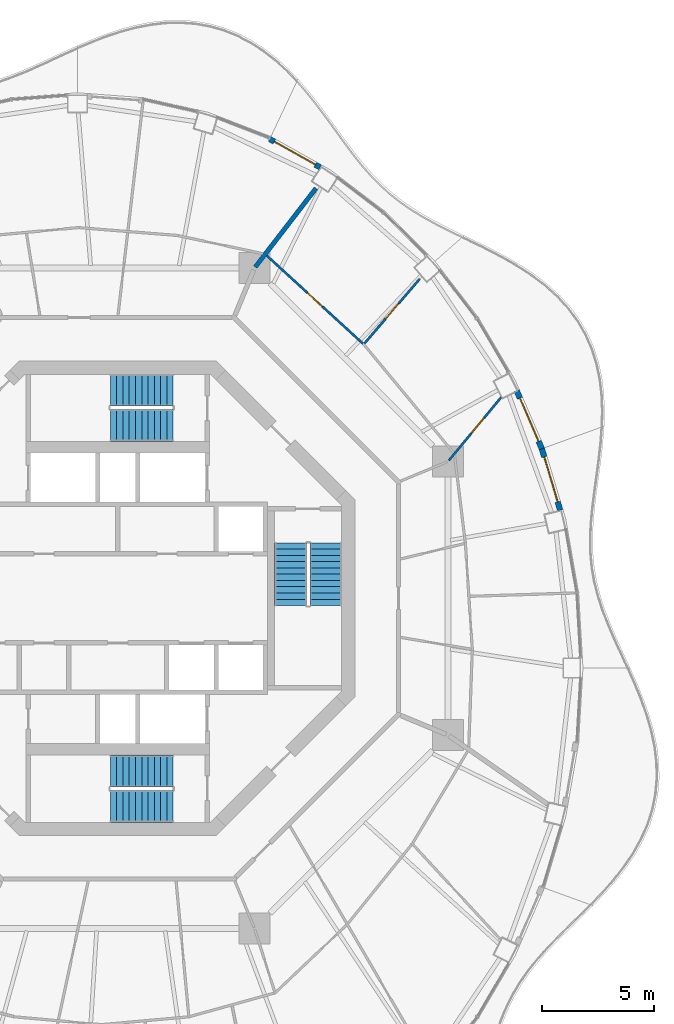
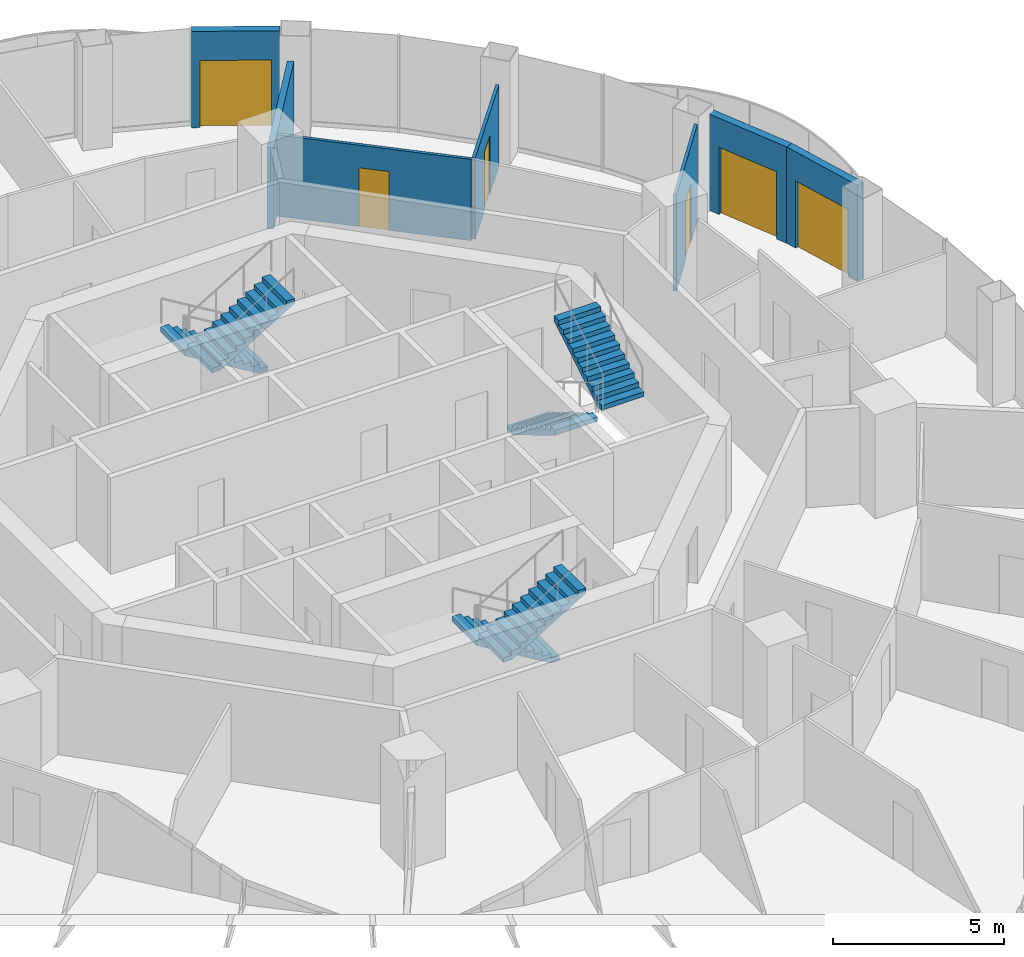
# One storey, part 14 of 17: 7 walls, 6 doors, 6 stair flights, 6 openings, 3 elements without a shape of their own.
"""IFC4 building model written with IfcOpenShell, lengths in metres."""

from ifc_helpers import new_model, si_unit, direction, frame, frame_2d, origin, place, context, subcontext, project, spatial, polyline, rectangle, outline, extrude, material, layer, layer_set, type_object, element, fill, aggregate, save


model = new_model("IFC4")

# Units and contexts
model_context = context("Model", 3, precision=1e-05, world=origin(), true_north=direction((0.0, 1.0)))
body_context = subcontext(model_context, "Body", "Model", "MODEL_VIEW")
ifc_project = project(units=[si_unit("LENGTHUNIT", "METRE"), si_unit("AREAUNIT", "SQUARE_METRE"), si_unit("VOLUMEUNIT", "CUBIC_METRE"), si_unit("PLANEANGLEUNIT", "RADIAN"), si_unit("MASSUNIT", "GRAM", prefix="KILO")], contexts=[model_context])

# Site, building, storey
site_placement = place(None, origin())
site = spatial("IfcSite", under=ifc_project, at=site_placement, CompositionType="ELEMENT")
building_placement = place(site_placement, origin())
building = spatial("IfcBuilding", under=site, at=building_placement, Name="Nagisa Residences", CompositionType="ELEMENT")
storey_placement = place(building_placement, frame((0.0, 0.0, 291.800048828125)))
storey = spatial("IfcBuildingStorey", under=building, at=storey_placement, Name="L74", CompositionType="ELEMENT", Elevation=291.800048828125)

# Wall
ifc_material_1 = material(Name="Gypsum board on steel studs", Category="steel")
ifc_layer_1 = layer(ifc_material_1, 0.199951171875)
ifc_layer_set_1 = layer_set([ifc_layer_1], Name="Apartment compartment wall EI60 200")
wall_type_1 = type_object("IfcWallType", Name="Apartment compartment wall EI60 200", PredefinedType="PARTITIONING", material=ifc_layer_set_1)
wall_1_placement = place(storey_placement, frame((6.153564453125, 14.821533203125, 0.0), z_axis=(0.0, 0.0, 1.0), x_axis=(0.610687612043, 0.791871606068, 0.0)))
element("IfcWall", 1, at=wall_1_placement, inside=storey, type_object=wall_type_1, Name="wall:L74:u01", PredefinedType="PARTITIONING", context=body_context, shape_type="SweptSolid", body=[
    extrude(rectangle(XDim=4.454833984375, YDim=0.199951171875, at=frame_2d((2.2275390625, 0.0))), origin(), (0.0, 0.0, 1.0), 2.905029296875),
])

# Wall, opening, door
ifc_material_2 = material(Name="Gypsum board on steel studs", Category="steel")
ifc_layer_2 = layer(ifc_material_2, 0.10009765625)
ifc_layer_set_2 = layer_set([ifc_layer_2], Name="Apartment partition 100")
wall_type_2 = type_object("IfcWallType", Name="Apartment partition 100", PredefinedType="PARTITIONING", material=ifc_layer_set_2)
wall_2_placement = place(storey_placement, frame((14.81396484375, 6.161376953125, 0.0), z_axis=(0.0, 0.0, 1.0), x_axis=(0.638050520313, 0.769994502272, 0.0)))
wall_2 = element("IfcWall", 2, at=wall_2_placement, inside=storey, type_object=wall_type_2, Name="wall:L74:u25", PredefinedType="PARTITIONING", context=body_context, shape_type="SweptSolid", body=[
    extrude(rectangle(XDim=3.6728515625, YDim=0.10009765625, at=frame_2d((1.83642578125, 0.0))), origin(), (0.0, 0.0, 1.0), 3.43994140625),
])
opening_1_placement = place(wall_2_placement, frame((1.584228515625, 0.0, 0.0)))
opening_1 = element("IfcOpeningElement", 3, at=opening_1_placement, cuts=wall_2, Name="Opening L74-U17", PredefinedType="OPENING", context=body_context, shape_type="SweptSolid", body=[
    extrude(rectangle(XDim=0.89990234375, YDim=2.10009765625, at=frame_2d((0.449951171875, 1.050048828125))), frame((0.0, 0.06005859375, 0.0), z_axis=(0.0, -1.0, 0.0), x_axis=(1.0, 0.0, 0.0)), (0.0, 0.0, 1.0), 0.1201171875),
])
ifc_material_3 = material(Name="Timber door set", Category="wood")
door_type_1 = type_object("IfcDoorType", Name="Apartment door 900x2100", OperationType="NOTDEFINED", PredefinedType="DOOR", material=ifc_material_3)
door_1_placement = place(opening_1_placement, origin())
door_1 = element("IfcDoor", 4, at=door_1_placement, inside=storey, type_object=door_type_1, Name="Door to study, Apartment 74B", OperationType="SINGLE_SWING_LEFT", OverallHeight=2.10009765625, OverallWidth=0.89990234375, PredefinedType="DOOR", context=body_context, shape_type="SweptSolid", body=[
    extrude(rectangle(XDim=0.89990234375, YDim=2.10009765625, at=frame_2d((0.449951171875, 1.050048828125))), frame((0.0, 0.02490234375, 0.0), z_axis=(0.0, -1.0, 0.0), x_axis=(1.0, 0.0, 0.0)), (0.0, 0.0, 1.0), 0.050048828125),
])
fill(opening_1, door_1)

wall_3_placement = place(storey_placement, frame((11.041259765625, 11.402099609375, 0.0), z_axis=(0.0, 0.0, 1.0), x_axis=(0.650558544325, 0.759456108282, 0.0)))
wall_3 = element("IfcWall", 5, at=wall_3_placement, inside=storey, type_object=wall_type_2, Name="wall:L74:u27", PredefinedType="PARTITIONING", context=body_context, shape_type="SweptSolid", body=[
    extrude(rectangle(XDim=3.800048828125, YDim=0.10009765625, at=frame_2d((1.89990234375, 0.0))), origin(), (0.0, 0.0, 1.0), 2.905029296875),
])
opening_2_placement = place(wall_3_placement, frame((1.4501953125, 0.0, 0.0)))
opening_2 = element("IfcOpeningElement", 6, at=opening_2_placement, cuts=wall_3, Name="Opening L74-U18", PredefinedType="OPENING", context=body_context, shape_type="SweptSolid", body=[
    extrude(rectangle(XDim=0.89990234375, YDim=2.10009765625, at=frame_2d((0.449951171875, 1.050048828125))), frame((0.0, 0.06005859375, 0.0), z_axis=(0.0, -1.0, 0.0), x_axis=(1.0, 0.0, 0.0)), (0.0, 0.0, 1.0), 0.1201171875),
])
door_2_placement = place(opening_2_placement, origin())
door_2 = element("IfcDoor", 7, at=door_2_placement, inside=storey, type_object=door_type_1, Name="Door to kitchen, Apartment 74B", OperationType="SINGLE_SWING_RIGHT", OverallHeight=2.10009765625, OverallWidth=0.89990234375, PredefinedType="DOOR", context=body_context, shape_type="SweptSolid", body=[
    extrude(rectangle(XDim=0.89990234375, YDim=2.10009765625, at=frame_2d((0.449951171875, 1.050048828125))), frame((0.0, 0.02490234375, 0.0), z_axis=(0.0, -1.0, 0.0), x_axis=(1.0, 0.0, 0.0)), (0.0, 0.0, 1.0), 0.050048828125),
])
fill(opening_2, door_2)

wall_4_placement = place(storey_placement, frame((10.9716796875, 11.397705078125, 0.0), z_axis=(0.0, 0.0, 1.0), x_axis=(-0.737830272434, 0.674986288069, 0.0)))
wall_4 = element("IfcWall", 8, at=wall_4_placement, inside=storey, type_object=wall_type_2, Name="wall:L74:u28", PredefinedType="PARTITIONING", context=body_context, shape_type="SweptSolid", body=[
    extrude(rectangle(XDim=5.827392578125, YDim=0.10009765625, at=frame_2d((2.91357421875, 0.0))), origin(), (0.0, 0.0, 1.0), 2.905029296875),
])
opening_3_placement = place(wall_4_placement, frame((2.463623046875, 0.0, 0.0)))
opening_3 = element("IfcOpeningElement", 9, at=opening_3_placement, cuts=wall_4, Name="Opening L74-U19", PredefinedType="OPENING", context=body_context, shape_type="SweptSolid", body=[
    extrude(rectangle(XDim=0.89990234375, YDim=2.10009765625, at=frame_2d((0.449951171875, 1.050048828125))), frame((0.0, 0.06005859375, 0.0), z_axis=(0.0, -1.0, 0.0), x_axis=(1.0, 0.0, 0.0)), (0.0, 0.0, 1.0), 0.1201171875),
])
door_3_placement = place(opening_3_placement, origin())
door_3 = element("IfcDoor", 10, at=door_3_placement, inside=storey, type_object=door_type_1, Name="Door to store, Apartment 74B", OperationType="SINGLE_SWING_LEFT", OverallHeight=2.10009765625, OverallWidth=0.89990234375, PredefinedType="DOOR", context=body_context, shape_type="SweptSolid", body=[
    extrude(rectangle(XDim=0.89990234375, YDim=2.10009765625, at=frame_2d((0.449951171875, 1.050048828125))), frame((0.0, 0.02490234375, 0.0), z_axis=(0.0, -1.0, 0.0), x_axis=(1.0, 0.0, 0.0)), (0.0, 0.0, 1.0), 0.050048828125),
])
fill(opening_3, door_3)

ifc_material_4 = material(Name="Precast concrete C40/50", Category="concrete")
ifc_layer_3 = layer(ifc_material_4, 0.25)
ifc_layer_set_3 = layer_set([ifc_layer_3], Name="BALCONY DOOR WALL 250")
wall_type_3 = type_object("IfcWallType", Name="BALCONY DOOR WALL 250", PredefinedType="SOLIDWALL", material=ifc_layer_set_3)
wall_5_placement = place(storey_placement, frame((18.978271484375, 6.69677734375, 0.0), z_axis=(0.0, 0.0, 1.0), x_axis=(0.285876209024, -0.9582665564, 0.0)))
wall_5 = element("IfcWall", 11, at=wall_5_placement, inside=storey, type_object=wall_type_3, Name="wall:L74:bay02", PredefinedType="SOLIDWALL", context=body_context, shape_type="SweptSolid", body=[
    extrude(rectangle(XDim=2.877197265625, YDim=0.25, at=frame_2d((1.4384765625, 0.0))), origin(), (0.0, 0.0, 1.0), 3.43994140625),
])
opening_4_placement = place(wall_5_placement, frame((0.388671875, 0.0, 0.0)))
opening_4 = element("IfcOpeningElement", 12, at=opening_4_placement, cuts=wall_5, Name="Opening BD-L74-01", PredefinedType="OPENING", context=body_context, shape_type="SweptSolid", body=[
    extrude(rectangle(XDim=2.10009765625, YDim=2.39990234375, at=frame_2d((1.050048828125, 1.199951171875))), frame((0.0, 0.135009765625, 0.0), z_axis=(0.0, -1.0, 0.0), x_axis=(1.0, 0.0, 0.0)), (0.0, 0.0, 1.0), 0.27001953125),
])
ifc_material_5 = material(Name="Aluminium and clear glass", Category="aluminium")
door_type_2 = type_object("IfcDoorType", Name="BALCONY SLIDING DOOR 2100x2400", OperationType="SLIDING_TO_LEFT", PredefinedType="DOOR", material=ifc_material_5)
door_4_placement = place(opening_4_placement, origin())
door_4 = element("IfcDoor", 13, at=door_4_placement, inside=storey, type_object=door_type_2, Name="door:L74:bay02", OperationType="SLIDING_TO_LEFT", OverallHeight=2.39990234375, OverallWidth=2.10009765625, PredefinedType="DOOR", context=body_context, shape_type="SweptSolid", body=[
    extrude(rectangle(XDim=2.10009765625, YDim=2.39990234375, at=frame_2d((1.050048828125, 1.199951171875))), frame((0.0, 0.02490234375, 0.0), z_axis=(0.0, -1.0, 0.0), x_axis=(1.0, 0.0, 0.0)), (0.0, 0.0, 1.0), 0.050048828125),
])
fill(opening_4, door_4)

wall_6_placement = place(storey_placement, frame((17.853759765625, 9.289794921875, 0.0), z_axis=(0.0, 0.0, 1.0), x_axis=(0.397597791596, -0.9175598052, 0.0)))
wall_6 = element("IfcWall", 14, at=wall_6_placement, inside=storey, type_object=wall_type_3, Name="wall:L74:bay03", PredefinedType="SOLIDWALL", context=body_context, shape_type="SweptSolid", body=[
    extrude(rectangle(XDim=2.841064453125, YDim=0.25, at=frame_2d((1.42041015625, 0.0))), origin(), (0.0, 0.0, 1.0), 3.43994140625),
])
opening_5_placement = place(wall_6_placement, frame((0.37060546875, 0.0, 0.0)))
opening_5 = element("IfcOpeningElement", 15, at=opening_5_placement, cuts=wall_6, Name="Opening BD-L74-02", PredefinedType="OPENING", context=body_context, shape_type="SweptSolid", body=[
    extrude(rectangle(XDim=2.10009765625, YDim=2.39990234375, at=frame_2d((1.050048828125, 1.199951171875))), frame((0.0, 0.135009765625, 0.0), z_axis=(0.0, -1.0, 0.0), x_axis=(1.0, 0.0, 0.0)), (0.0, 0.0, 1.0), 0.27001953125),
])
door_5_placement = place(opening_5_placement, origin())
door_5 = element("IfcDoor", 16, at=door_5_placement, inside=storey, type_object=door_type_2, Name="door:L74:bay03", OperationType="SLIDING_TO_LEFT", OverallHeight=2.39990234375, OverallWidth=2.10009765625, PredefinedType="DOOR", context=body_context, shape_type="SweptSolid", body=[
    extrude(rectangle(XDim=2.10009765625, YDim=2.39990234375, at=frame_2d((1.050048828125, 1.199951171875))), frame((0.0, 0.02490234375, 0.0), z_axis=(0.0, -1.0, 0.0), x_axis=(1.0, 0.0, 0.0)), (0.0, 0.0, 1.0), 0.050048828125),
])
fill(opening_5, door_5)

wall_7_placement = place(storey_placement, frame((6.795166015625, 20.553955078125, 0.0), z_axis=(0.0, 0.0, 1.0), x_axis=(0.872052877201, -0.489411666561, 0.0)))
wall_7 = element("IfcWall", 17, at=wall_7_placement, inside=storey, type_object=wall_type_3, Name="wall:L74:bay08", PredefinedType="SOLIDWALL", context=body_context, shape_type="SweptSolid", body=[
    extrude(rectangle(XDim=2.593017578125, YDim=0.25, at=frame_2d((1.29638671875, 0.0))), origin(), (0.0, 0.0, 1.0), 3.43994140625),
])
opening_6_placement = place(wall_7_placement, frame((0.24658203125, 0.0, 0.0)))
opening_6 = element("IfcOpeningElement", 18, at=opening_6_placement, cuts=wall_7, Name="Opening BD-L74-03", PredefinedType="OPENING", context=body_context, shape_type="SweptSolid", body=[
    extrude(rectangle(XDim=2.10009765625, YDim=2.39990234375, at=frame_2d((1.050048828125, 1.199951171875))), frame((0.0, 0.135009765625, 0.0), z_axis=(0.0, -1.0, 0.0), x_axis=(1.0, 0.0, 0.0)), (0.0, 0.0, 1.0), 0.27001953125),
])
door_6_placement = place(opening_6_placement, origin())
door_6 = element("IfcDoor", 19, at=door_6_placement, inside=storey, type_object=door_type_2, Name="door:L74:bay08", OperationType="SLIDING_TO_LEFT", OverallHeight=2.39990234375, OverallWidth=2.10009765625, PredefinedType="DOOR", context=body_context, shape_type="SweptSolid", body=[
    extrude(rectangle(XDim=2.10009765625, YDim=2.39990234375, at=frame_2d((1.050048828125, 1.199951171875))), frame((0.0, 0.02490234375, 0.0), z_axis=(0.0, -1.0, 0.0), x_axis=(1.0, 0.0, 0.0)), (0.0, 0.0, 1.0), 0.050048828125),
])
fill(opening_6, door_6)

# Stair, stair flights
ifc_material_6 = material(Name="Concrete C60", Category="concrete")
stair_type = type_object("IfcStairType", Name="Exit stair", PredefinedType="HALF_TURN_STAIR", material=ifc_material_6)
stair_1_placement = place(storey_placement, origin())
stair_1 = element("IfcStair", 20, at=stair_1_placement, inside=storey, type_object=stair_type, Name="L74 Exit stair E", PredefinedType="HALF_TURN_STAIR")
ifc_material_7 = material(Name="Concrete C60", Category="concrete")
stair_flight_type = type_object("IfcStairFlightType", Name="Exit stair flight", PredefinedType="STRAIGHT", material=ifc_material_7)
stair_flight_1_placement = place(storey_placement, frame((7.737060546875, 2.47509765625, 0.0), z_axis=(0.0, 0.0, 1.0), x_axis=(0.0, -1.0, 0.0)))
stair_flight_1 = element("IfcStairFlight", 21, at=stair_flight_1_placement, type_object=stair_flight_type, Name="ST-E flight 1", NumberOfRisers=11, NumberOfTreads=10, PredefinedType="STRAIGHT", RiserHeight=0.168181818, TreadLength=0.28, context=body_context, shape_type="SweptSolid", body=[
    extrude(outline(polyline([(0.0, 0.0), (0.0, 0.168212890625), (0.280029296875, 0.168212890625), (0.280029296875, 0.33642578125), (0.56005859375, 0.33642578125), (0.56005859375, 0.504638671875), (0.840087890625, 0.504638671875), (0.840087890625, 0.672607421875), (1.1201171875, 0.672607421875), (1.1201171875, 0.8408203125), (1.39990234375, 0.8408203125), (1.39990234375, 1.009033203125), (1.679931640625, 1.009033203125), (1.679931640625, 1.17724609375), (1.9599609375, 1.17724609375), (1.9599609375, 1.345458984375), (2.239990234375, 1.345458984375), (2.239990234375, 1.513671875), (2.52001953125, 1.513671875), (2.52001953125, 1.681884765625), (2.800048828125, 1.681884765625), (2.800048828125, 1.85009765625), (2.800048828125, 1.5068359375), (0.291015625, 0.0), (0.0, 0.0)])), frame((0.0, 0.71240234375, 0.0), z_axis=(0.0, -1.0, 0.0), x_axis=(1.0, 0.0, 0.0)), (0.0, 0.0, 1.0), 1.425048828125),
])
stair_flight_2_placement = place(storey_placement, frame((9.31201171875, -0.324951171875, 1.849853515625), z_axis=(0.0, 0.0, 1.0), x_axis=(0.0, 1.0, 0.0)))
stair_flight_2 = element("IfcStairFlight", 22, at=stair_flight_2_placement, type_object=stair_flight_type, Name="ST-E flight 2", NumberOfRisers=11, NumberOfTreads=10, PredefinedType="STRAIGHT", RiserHeight=0.168181818, TreadLength=0.28, context=body_context, shape_type="SweptSolid", body=[
    extrude(outline(polyline([(0.0, 0.0), (0.0, 0.168212890625), (0.280029296875, 0.168212890625), (0.280029296875, 0.33642578125), (0.56005859375, 0.33642578125), (0.56005859375, 0.504638671875), (0.840087890625, 0.504638671875), (0.840087890625, 0.672607421875), (1.1201171875, 0.672607421875), (1.1201171875, 0.8408203125), (1.39990234375, 0.8408203125), (1.39990234375, 1.009033203125), (1.679931640625, 1.009033203125), (1.679931640625, 1.17724609375), (1.9599609375, 1.17724609375), (1.9599609375, 1.345458984375), (2.239990234375, 1.345458984375), (2.239990234375, 1.513671875), (2.52001953125, 1.513671875), (2.52001953125, 1.681884765625), (2.800048828125, 1.681884765625), (2.800048828125, 1.85009765625), (2.800048828125, 1.5068359375), (0.291015625, 0.0), (0.0, 0.0)])), frame((0.0, 0.71240234375, 0.0), z_axis=(0.0, -1.0, 0.0), x_axis=(1.0, 0.0, 0.0)), (0.0, 0.0, 1.0), 1.425048828125),
])
aggregate(stair_1, [stair_flight_1, stair_flight_2])

stair_2_placement = place(storey_placement, origin())
stair_2 = element("IfcStair", 23, at=stair_2_placement, inside=storey, type_object=stair_type, Name="L74 Exit stair N", PredefinedType="HALF_TURN_STAIR")
stair_flight_3_placement = place(storey_placement, frame((2.47509765625, 9.31201171875, 0.0), z_axis=(0.0, 0.0, 1.0), x_axis=(-1.0, 0.0, 0.0)))
stair_flight_3 = element("IfcStairFlight", 24, at=stair_flight_3_placement, type_object=stair_flight_type, Name="ST-N flight 1", NumberOfRisers=11, NumberOfTreads=10, PredefinedType="STRAIGHT", RiserHeight=0.168181818, TreadLength=0.28, context=body_context, shape_type="SweptSolid", body=[
    extrude(outline(polyline([(0.0, 0.0), (0.0, 0.168212890625), (0.280029296875, 0.168212890625), (0.280029296875, 0.33642578125), (0.56005859375, 0.33642578125), (0.56005859375, 0.504638671875), (0.840087890625, 0.504638671875), (0.840087890625, 0.672607421875), (1.1201171875, 0.672607421875), (1.1201171875, 0.8408203125), (1.39990234375, 0.8408203125), (1.39990234375, 1.009033203125), (1.679931640625, 1.009033203125), (1.679931640625, 1.17724609375), (1.9599609375, 1.17724609375), (1.9599609375, 1.345458984375), (2.239990234375, 1.345458984375), (2.239990234375, 1.513671875), (2.52001953125, 1.513671875), (2.52001953125, 1.681884765625), (2.800048828125, 1.681884765625), (2.800048828125, 1.85009765625), (2.800048828125, 1.5068359375), (0.291015625, 0.0), (0.0, 0.0)])), frame((0.0, 0.71240234375, 0.0), z_axis=(0.0, -1.0, 0.0), x_axis=(1.0, 0.0, 0.0)), (0.0, 0.0, 1.0), 1.425048828125),
])
stair_flight_4_placement = place(storey_placement, frame((-0.324951171875, 7.737060546875, 1.849853515625), z_axis=(0.0, 0.0, 1.0), x_axis=(1.0, 0.0, 0.0)))
stair_flight_4 = element("IfcStairFlight", 25, at=stair_flight_4_placement, type_object=stair_flight_type, Name="ST-N flight 2", NumberOfRisers=11, NumberOfTreads=10, PredefinedType="STRAIGHT", RiserHeight=0.168181818, TreadLength=0.28, context=body_context, shape_type="SweptSolid", body=[
    extrude(outline(polyline([(0.0, 0.0), (0.0, 0.168212890625), (0.280029296875, 0.168212890625), (0.280029296875, 0.33642578125), (0.56005859375, 0.33642578125), (0.56005859375, 0.504638671875), (0.840087890625, 0.504638671875), (0.840087890625, 0.672607421875), (1.1201171875, 0.672607421875), (1.1201171875, 0.8408203125), (1.39990234375, 0.8408203125), (1.39990234375, 1.009033203125), (1.679931640625, 1.009033203125), (1.679931640625, 1.17724609375), (1.9599609375, 1.17724609375), (1.9599609375, 1.345458984375), (2.239990234375, 1.345458984375), (2.239990234375, 1.513671875), (2.52001953125, 1.513671875), (2.52001953125, 1.681884765625), (2.800048828125, 1.681884765625), (2.800048828125, 1.85009765625), (2.800048828125, 1.5068359375), (0.291015625, 0.0), (0.0, 0.0)])), frame((0.0, 0.71240234375, 0.0), z_axis=(0.0, -1.0, 0.0), x_axis=(1.0, 0.0, 0.0)), (0.0, 0.0, 1.0), 1.425048828125),
])
aggregate(stair_2, [stair_flight_3, stair_flight_4])

stair_3_placement = place(storey_placement, origin())
stair_3 = element("IfcStair", 26, at=stair_3_placement, inside=storey, type_object=stair_type, Name="L74 Exit stair S", PredefinedType="HALF_TURN_STAIR")
stair_flight_5_placement = place(storey_placement, frame((2.47509765625, -7.737060546875, 0.0), z_axis=(0.0, 0.0, 1.0), x_axis=(-1.0, 0.0, 0.0)))
stair_flight_5 = element("IfcStairFlight", 27, at=stair_flight_5_placement, type_object=stair_flight_type, Name="ST-S flight 1", NumberOfRisers=11, NumberOfTreads=10, PredefinedType="STRAIGHT", RiserHeight=0.168181818, TreadLength=0.28, context=body_context, shape_type="SweptSolid", body=[
    extrude(outline(polyline([(0.0, 0.0), (0.0, 0.168212890625), (0.280029296875, 0.168212890625), (0.280029296875, 0.33642578125), (0.56005859375, 0.33642578125), (0.56005859375, 0.504638671875), (0.840087890625, 0.504638671875), (0.840087890625, 0.672607421875), (1.1201171875, 0.672607421875), (1.1201171875, 0.8408203125), (1.39990234375, 0.8408203125), (1.39990234375, 1.009033203125), (1.679931640625, 1.009033203125), (1.679931640625, 1.17724609375), (1.9599609375, 1.17724609375), (1.9599609375, 1.345458984375), (2.239990234375, 1.345458984375), (2.239990234375, 1.513671875), (2.52001953125, 1.513671875), (2.52001953125, 1.681884765625), (2.800048828125, 1.681884765625), (2.800048828125, 1.85009765625), (2.800048828125, 1.5068359375), (0.291015625, 0.0), (0.0, 0.0)])), frame((0.0, 0.71240234375, 0.0), z_axis=(0.0, -1.0, 0.0), x_axis=(1.0, 0.0, 0.0)), (0.0, 0.0, 1.0), 1.425048828125),
])
stair_flight_6_placement = place(storey_placement, frame((-0.324951171875, -9.31201171875, 1.849853515625), z_axis=(0.0, 0.0, 1.0), x_axis=(1.0, 0.0, 0.0)))
stair_flight_6 = element("IfcStairFlight", 28, at=stair_flight_6_placement, type_object=stair_flight_type, Name="ST-S flight 2", NumberOfRisers=11, NumberOfTreads=10, PredefinedType="STRAIGHT", RiserHeight=0.168181818, TreadLength=0.28, context=body_context, shape_type="SweptSolid", body=[
    extrude(outline(polyline([(0.0, 0.0), (0.0, 0.168212890625), (0.280029296875, 0.168212890625), (0.280029296875, 0.33642578125), (0.56005859375, 0.33642578125), (0.56005859375, 0.504638671875), (0.840087890625, 0.504638671875), (0.840087890625, 0.672607421875), (1.1201171875, 0.672607421875), (1.1201171875, 0.8408203125), (1.39990234375, 0.8408203125), (1.39990234375, 1.009033203125), (1.679931640625, 1.009033203125), (1.679931640625, 1.17724609375), (1.9599609375, 1.17724609375), (1.9599609375, 1.345458984375), (2.239990234375, 1.345458984375), (2.239990234375, 1.513671875), (2.52001953125, 1.513671875), (2.52001953125, 1.681884765625), (2.800048828125, 1.681884765625), (2.800048828125, 1.85009765625), (2.800048828125, 1.5068359375), (0.291015625, 0.0), (0.0, 0.0)])), frame((0.0, 0.71240234375, 0.0), z_axis=(0.0, -1.0, 0.0), x_axis=(1.0, 0.0, 0.0)), (0.0, 0.0, 1.0), 1.425048828125),
])
aggregate(stair_3, [stair_flight_5, stair_flight_6])

save(model, "model.ifc")
